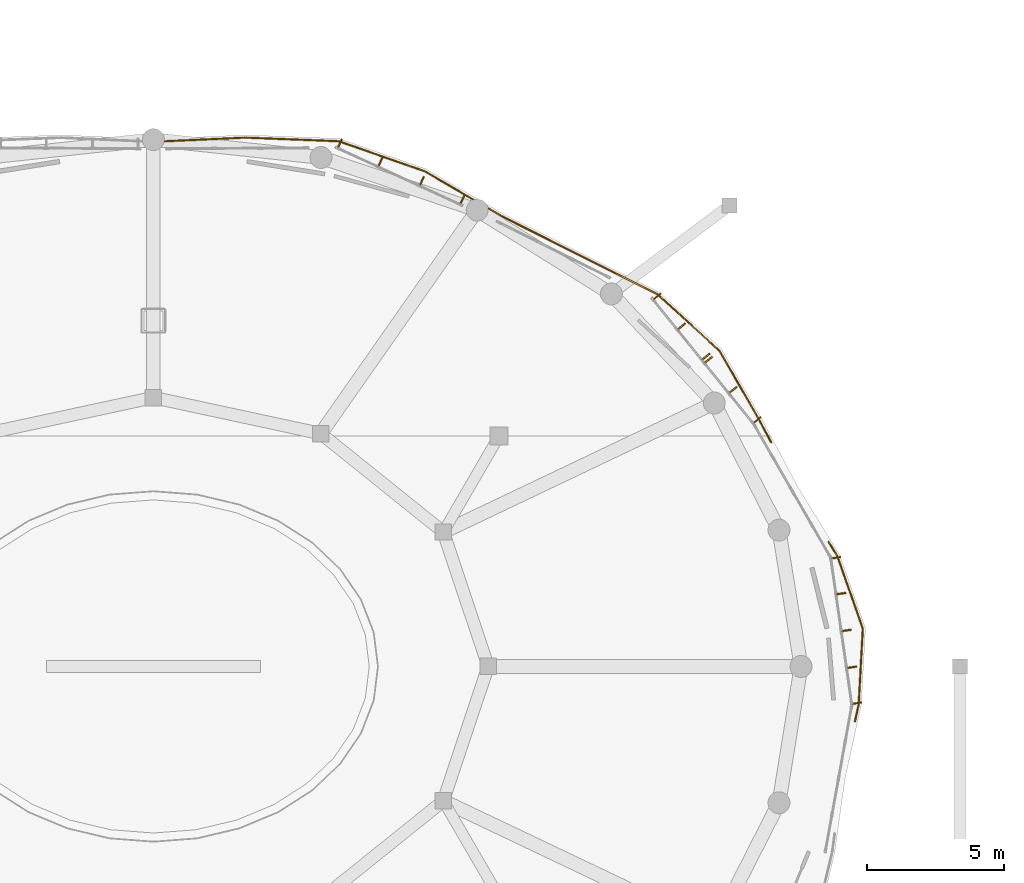
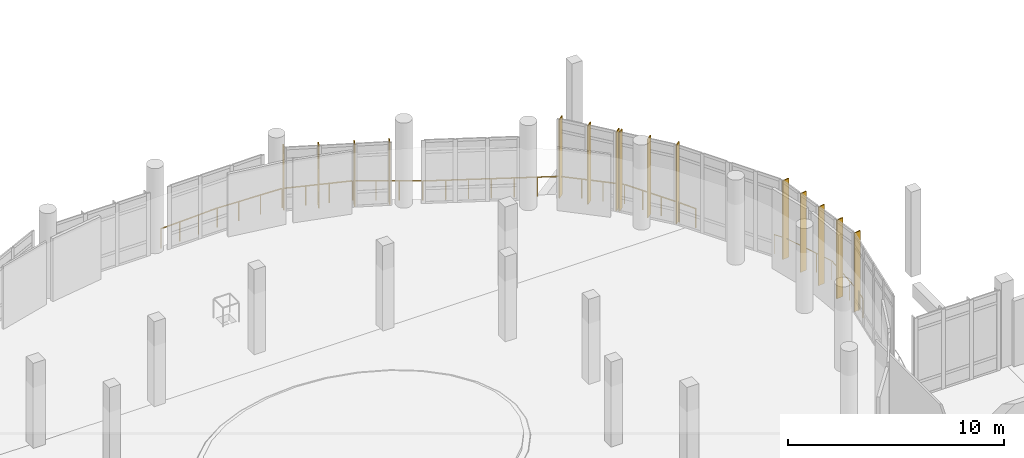
# One storey, part 59 of 63: 15 shading devices, 2 railings.
"""IFC4 building model written with IfcOpenShell, lengths in metres."""

from ifc_helpers import new_model, si_unit, derived_unit, direction, frame, origin, origin_2d, place, context, subcontext, project, spatial, rectangle, circle, extrude, material, type_object, element, save


model = new_model("IFC4")

# Units and contexts
model_context = context("Model", 3, precision=1e-05, world=origin(), true_north=direction((0.0, 1.0)))
body_context = subcontext(model_context, "Body", "Model", "MODEL_VIEW")
ifc_project = project(units=[si_unit("LENGTHUNIT", "METRE"), si_unit("AREAUNIT", "SQUARE_METRE"), si_unit("VOLUMEUNIT", "CUBIC_METRE"), si_unit("PLANEANGLEUNIT", "RADIAN"), si_unit("MASSUNIT", "GRAM", prefix="KILO"), derived_unit("THERMALTRANSMITTANCEUNIT", [(si_unit("POWERUNIT", "WATT"), 1), (si_unit("LENGTHUNIT", "METRE"), -2), (si_unit("THERMODYNAMICTEMPERATUREUNIT", "KELVIN"), -1)])], contexts=[model_context])

# Site, building, storey
site_placement = place(None, origin())
site = spatial("IfcSite", under=ifc_project, at=site_placement, CompositionType="ELEMENT")
building_placement = place(site_placement, origin())
building = spatial("IfcBuilding", under=site, at=building_placement, Name="Elbkamm Science Centre", CompositionType="ELEMENT")
storey_placement = place(building_placement, frame((0.0, 0.0, 5.10009765625)))
storey = spatial("IfcBuildingStorey", under=building, at=storey_placement, Name="L01", CompositionType="ELEMENT", Elevation=5.10009765625)

# Railings
ifc_material_1 = material(Name="Stainless steel EN 1.4401", Category="steel")
railing_type = type_object("IfcRailingType", Name="RAIL-EXT-GUARD-1100", PredefinedType="GUARDRAIL", material=ifc_material_1)
railing_1_placement = place(storey_placement, frame((63.282470703125, 86.33251953125, 0.0)))
element("IfcRailing", 1, at=railing_1_placement, inside=storey, type_object=railing_type, Name="L01 Slab Edge Perimeter Guard 017", PredefinedType="GUARDRAIL", context=body_context, shape_type="SweptSolid", body=[
    extrude(circle(Radius=0.02392578125, at=origin_2d()), frame((0.0, 0.0, 1.078125), z_axis=(0.998987237811, 0.044994429552, 0.0), x_axis=(-0.044994429552, 0.998987237811, 0.0)), (0.0, 0.0, 1.0), 3.052001953125),
    extrude(circle(Radius=0.02392578125, at=origin_2d()), frame((3.10888671875, 0.137451171875, 1.078125), z_axis=(0.999248479821, -0.038761779822, 0.0), x_axis=(0.038761779822, 0.999248479821, 0.0)), (0.0, 0.0, 1.0), 3.3349609375),
    extrude(circle(Radius=0.02392578125, at=origin_2d()), frame((6.49951171875, -0.0029296875, 1.078125), z_axis=(0.944016499749, -0.32989823916, 0.0), x_axis=(0.32989823916, 0.944016499749, 0.0)), (0.0, 0.0, 1.0), 3.259033203125),
    extrude(circle(Radius=0.02392578125, at=origin_2d()), frame((9.63037109375, -1.10302734375, 1.078125), z_axis=(0.864169164945, -0.503201405361, 0.0), x_axis=(0.503201405361, 0.864169164945, 0.0)), (0.0, 0.0, 1.0), 3.182373046875),
    extrude(circle(Radius=0.02392578125, at=origin_2d()), frame((12.433349609375, -2.73291015625, 1.078125), z_axis=(0.893589385693, -0.448885296904, 0.0), x_axis=(0.448885296904, 0.893589385693, 0.0)), (0.0, 0.0, 1.0), 6.304443359375),
    extrude(circle(Radius=0.02392578125, at=origin_2d()), frame((18.115966796875, -5.5966796875, 1.078125), z_axis=(0.73926901621, -0.673410217974, 0.0), x_axis=(0.673410217974, 0.73926901621, 0.0)), (0.0, 0.0, 1.0), 2.987060546875),
    extrude(circle(Radius=0.02392578125, at=origin_2d()), frame((20.361328125, -7.654541015625, 1.078125), z_axis=(0.497838578198, -0.8672697101, 0.0), x_axis=(0.8672697101, 0.497838578198, 0.0)), (0.0, 0.0, 1.0), 2.87744140625),
    extrude(circle(Radius=0.02392578125, at=origin_2d()), frame((21.822998046875, -10.202392578125, 1.078125), z_axis=(0.470118104539, -0.882603516753, 0.0), x_axis=(0.882603516753, 0.470118104539, 0.0)), (0.0, 0.0, 1.0), 0.859619140625),
    extrude(circle(Radius=0.02001953125, at=origin_2d()), origin(), (0.0, 0.0, 1.0), 1.048095703125),
    extrude(circle(Radius=0.02001953125, at=origin_2d()), frame((1.0263671875, 0.046142578125, 0.0)), (0.0, 0.0, 1.0), 1.048095703125),
    extrude(circle(Radius=0.02001953125, at=origin_2d()), frame((2.052490234375, 0.092529296875, 0.0)), (0.0, 0.0, 1.0), 1.048095703125),
    extrude(circle(Radius=0.02001953125, at=origin_2d()), frame((3.078857421875, 0.138671875, 0.0)), (0.0, 0.0, 1.0), 1.048095703125),
    extrude(circle(Radius=0.02001953125, at=origin_2d()), frame((4.209716796875, 0.0947265625, 0.0)), (0.0, 0.0, 1.0), 1.048095703125),
    extrude(circle(Radius=0.02001953125, at=origin_2d()), frame((5.34033203125, 0.051025390625, 0.0)), (0.0, 0.0, 1.0), 1.048095703125),
    extrude(circle(Radius=0.02001953125, at=origin_2d()), frame((6.47119140625, 0.007080078125, 0.0)), (0.0, 0.0, 1.0), 1.048095703125),
    extrude(circle(Radius=0.02001953125, at=origin_2d()), frame((7.515625, -0.35791015625, 0.0)), (0.0, 0.0, 1.0), 1.048095703125),
    extrude(circle(Radius=0.02001953125, at=origin_2d()), frame((8.56005859375, -0.722900390625, 0.0)), (0.0, 0.0, 1.0), 1.048095703125),
    extrude(circle(Radius=0.02001953125, at=origin_2d()), frame((9.6044921875, -1.087890625, 0.0)), (0.0, 0.0, 1.0), 1.048095703125),
    extrude(circle(Radius=0.02001953125, at=origin_2d()), frame((10.53857421875, -1.6318359375, 0.0)), (0.0, 0.0, 1.0), 1.048095703125),
    extrude(circle(Radius=0.02001953125, at=origin_2d()), frame((11.472412109375, -2.175537109375, 0.0)), (0.0, 0.0, 1.0), 1.048095703125),
    extrude(circle(Radius=0.02001953125, at=origin_2d()), frame((12.406494140625, -2.719482421875, 0.0)), (0.0, 0.0, 1.0), 1.048095703125),
    extrude(circle(Radius=0.02001953125, at=origin_2d()), frame((13.3544921875, -3.195556640625, 0.0)), (0.0, 0.0, 1.0), 1.048095703125),
    extrude(circle(Radius=0.02001953125, at=origin_2d()), frame((14.30224609375, -3.671875, 0.0)), (0.0, 0.0, 1.0), 1.048095703125),
    extrude(circle(Radius=0.02001953125, at=origin_2d()), frame((15.25, -4.14794921875, 0.0)), (0.0, 0.0, 1.0), 1.048095703125),
    extrude(circle(Radius=0.02001953125, at=origin_2d()), frame((16.197998046875, -4.6240234375, 0.0)), (0.0, 0.0, 1.0), 1.048095703125),
    extrude(circle(Radius=0.02001953125, at=origin_2d()), frame((17.14599609375, -5.100341796875, 0.0)), (0.0, 0.0, 1.0), 1.048095703125),
    extrude(circle(Radius=0.02001953125, at=origin_2d()), frame((18.09375, -5.576416015625, 0.0)), (0.0, 0.0, 1.0), 1.048095703125),
    extrude(circle(Radius=0.02001953125, at=origin_2d()), frame((18.8447265625, -6.260498046875, 0.0)), (0.0, 0.0, 1.0), 1.048095703125),
    extrude(circle(Radius=0.02001953125, at=origin_2d()), frame((19.595458984375, -6.9443359375, 0.0)), (0.0, 0.0, 1.0), 1.048095703125),
    extrude(circle(Radius=0.02001953125, at=origin_2d()), frame((20.346435546875, -7.62841796875, 0.0)), (0.0, 0.0, 1.0), 1.048095703125),
    extrude(circle(Radius=0.02001953125, at=origin_2d()), frame((20.833984375, -8.4775390625, 0.0)), (0.0, 0.0, 1.0), 1.048095703125),
    extrude(circle(Radius=0.02001953125, at=origin_2d()), frame((21.3212890625, -9.326904296875, 0.0)), (0.0, 0.0, 1.0), 1.048095703125),
    extrude(circle(Radius=0.02001953125, at=origin_2d()), frame((21.808837890625, -10.176025390625, 0.0)), (0.0, 0.0, 1.0), 1.048095703125),
    extrude(circle(Radius=0.02001953125, at=origin_2d()), frame((22.22705078125, -10.961181640625, 0.0)), (0.0, 0.0, 1.0), 1.048095703125),
])
railing_2_placement = place(storey_placement, frame((87.604736328125, 71.737548828125, 0.0)))
element("IfcRailing", 2, at=railing_2_placement, inside=storey, type_object=railing_type, Name="L01 Slab Edge Perimeter Guard 018", PredefinedType="GUARDRAIL", context=body_context, shape_type="SweptSolid", body=[
    extrude(circle(Radius=0.02392578125, at=origin_2d()), frame((0.0, 0.0, 1.078125), z_axis=(0.524275776599, -0.851548536533, 0.0), x_axis=(0.851548536533, 0.524275776599, 0.0)), (0.0, 0.0, 1.0), 0.5810546875),
    extrude(circle(Radius=0.02392578125, at=origin_2d()), frame((0.330322265625, -0.548583984375, 1.078125), z_axis=(0.331049568793, -0.94361336521, 0.0), x_axis=(0.94361336521, 0.331049568793, 0.0)), (0.0, 0.0, 1.0), 2.739501953125),
    extrude(circle(Radius=0.02392578125, at=origin_2d()), frame((1.245361328125, -3.19189453125, 1.078125), z_axis=(-0.054634092458, -0.998506442614, 0.0), x_axis=(0.998506442614, -0.054634092458, 0.0)), (0.0, 0.0, 1.0), 2.7060546875),
    extrude(circle(Radius=0.02392578125, at=origin_2d()), frame((1.089599609375, -5.953125, 1.078125), z_axis=(-0.215616306668, -0.976478165808, 0.0), x_axis=(0.976478165808, -0.215616306668, 0.0)), (0.0, 0.0, 1.0), 0.599609375),
    extrude(circle(Radius=0.02001953125, at=origin_2d()), origin(), (0.0, 0.0, 1.0), 1.048095703125),
    extrude(circle(Radius=0.02001953125, at=origin_2d()), frame((0.3203125, -0.520263671875, 0.0)), (0.0, 0.0, 1.0), 1.048095703125),
    extrude(circle(Radius=0.02001953125, at=origin_2d()), frame((0.629150390625, -1.40087890625, 0.0)), (0.0, 0.0, 1.0), 1.048095703125),
    extrude(circle(Radius=0.02001953125, at=origin_2d()), frame((0.938232421875, -2.28125, 0.0)), (0.0, 0.0, 1.0), 1.048095703125),
    extrude(circle(Radius=0.02001953125, at=origin_2d()), frame((1.2470703125, -3.161865234375, 0.0)), (0.0, 0.0, 1.0), 1.048095703125),
    extrude(circle(Radius=0.02001953125, at=origin_2d()), frame((1.19677734375, -4.08251953125, 0.0)), (0.0, 0.0, 1.0), 1.048095703125),
    extrude(circle(Radius=0.02001953125, at=origin_2d()), frame((1.146240234375, -5.003173828125, 0.0)), (0.0, 0.0, 1.0), 1.048095703125),
    extrude(circle(Radius=0.02001953125, at=origin_2d()), frame((1.095947265625, -5.923828125, 0.0)), (0.0, 0.0, 1.0), 1.048095703125),
    extrude(circle(Radius=0.02001953125, at=origin_2d()), frame((0.960205078125, -6.53857421875, 0.0)), (0.0, 0.0, 1.0), 1.048095703125),
])

# Shading devices
ifc_material_2 = material(Name="Terracotta-ochre powder-coated aluminium EN AW-6060", Category="masonry")
shading_device_type_1 = type_object("IfcShadingDeviceType", Name="SHD-LOUVRE-350", PredefinedType="USERDEFINED", material=ifc_material_2)
for number, where, z_axis, x_axis, name in (
    (3, (74.262451171875, 84.209716796875, 0.0), (0.0, 0.0, 1.0), (0.417705331299, 0.908582553324, 0.0), "L01 Brise-Soleil Sunshade Fin 0012"),
    (4, (72.783935546875, 84.889404296875, 0.0), (0.0, 0.0, 1.0), (0.417705331299, 0.908582553324, 0.0), "L01 Brise-Soleil Sunshade Fin 0013"),
    (5, (71.273681640625, 85.583740234375, 0.0), (0.0, 0.0, 1.0), (0.417705331299, 0.908582553324, 0.0), "L01 Brise-Soleil Sunshade Fin 0014"),
    (6, (69.795166015625, 86.263427734375, 0.0), (0.0, 0.0, 1.0), (0.417705331299, 0.908582553324, 0.0), "L01 Brise-Soleil Sunshade Fin 0015"),
):
    element("IfcShadingDevice", number, at=place(storey_placement, frame(where, z_axis=z_axis, x_axis=x_axis)), inside=storey, type_object=shading_device_type_1, Name=name, ObjectType="LOUVRE", PredefinedType="USERDEFINED", context=body_context, shape_type="SweptSolid", body=[
        extrude(rectangle(XDim=0.35009765625, YDim=0.050048828125, at=origin_2d()), origin(), (0.0, 0.0, 1.0), 3.5),
    ])
shading_device_type_2 = type_object("IfcShadingDeviceType", Name="SHD-LOUVRE-420", PredefinedType="USERDEFINED", material=ifc_material_2)
for number, where, z_axis, x_axis, name in (
    (7, (88.637939453125, 65.8623046875, 0.0), (0.0, 0.0, 1.0), (0.989819003034, 0.142331799793, 0.0), "L01 Brise-Soleil Sunshade Fin 0001"),
    (8, (88.449951171875, 67.17041015625, 0.0), (0.0, 0.0, 1.0), (0.989819003034, 0.142331799793, 0.0), "L01 Brise-Soleil Sunshade Fin 0002"),
    (9, (88.2568359375, 68.5126953125, 0.0), (0.0, 0.0, 1.0), (0.989819003034, 0.142331799793, 0.0), "L01 Brise-Soleil Sunshade Fin 0003"),
    (10, (88.06396484375, 69.855224609375, 0.0), (0.0, 0.0, 1.0), (0.989819003034, 0.142331799793, 0.0), "L01 Brise-Soleil Sunshade Fin 0004"),
    (11, (87.875732421875, 71.1630859375, 0.0), (0.0, 0.0, 1.0), (0.989819003034, 0.142331799793, 0.0), "L01 Brise-Soleil Sunshade Fin 0005"),
    (12, (85.00537109375, 76.1796875, 0.0), (0.0, 0.0, 1.0), (0.777492928571, 0.628891680675, 0.0), "L01 Brise-Soleil Sunshade Fin 0006"),
    (13, (84.117431640625, 77.277587890625, 0.0), (0.0, 0.0, 1.0), (0.777492928571, 0.628891680675, 0.0), "L01 Brise-Soleil Sunshade Fin 0007"),
    (14, (83.2294921875, 78.375244140625, 0.0), (0.0, 0.0, 1.0), (0.777492928571, 0.628891680675, 0.0), "L01 Brise-Soleil Sunshade Fin 0008"),
    (15, (83.13525390625, 78.49169921875, 0.0), (0.0, 0.0, 1.0), (0.777492928571, 0.628891680675, 0.0), "L01 Brise-Soleil Sunshade Fin 0009"),
    (16, (82.247314453125, 79.589599609375, 0.0), (0.0, 0.0, 1.0), (0.777492928571, 0.628891680675, 0.0), "L01 Brise-Soleil Sunshade Fin 0010"),
    (17, (81.359619140625, 80.687255859375, 0.0), (0.0, 0.0, 1.0), (0.777492928571, 0.628891680675, 0.0), "L01 Brise-Soleil Sunshade Fin 0011"),
):
    element("IfcShadingDevice", number, at=place(storey_placement, frame(where, z_axis=z_axis, x_axis=x_axis)), inside=storey, type_object=shading_device_type_2, Name=name, ObjectType="LOUVRE", PredefinedType="USERDEFINED", context=body_context, shape_type="SweptSolid", body=[
        extrude(rectangle(XDim=0.35009765625, YDim=0.050048828125, at=origin_2d()), origin(), (0.0, 0.0, 1.0), 4.449951171875),
    ])

save(model, "model.ifc")
